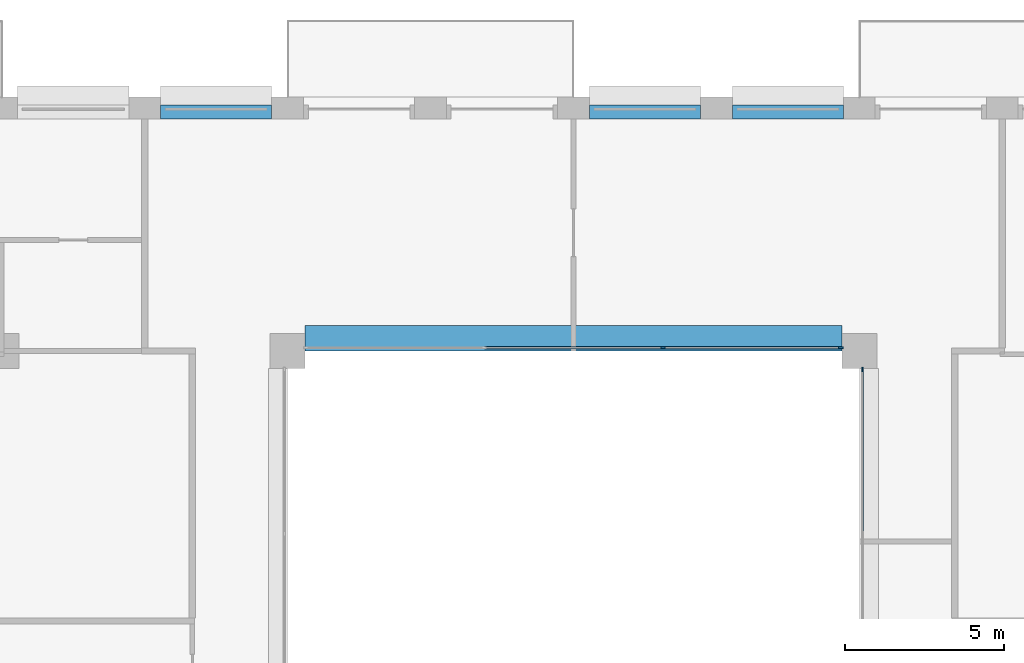
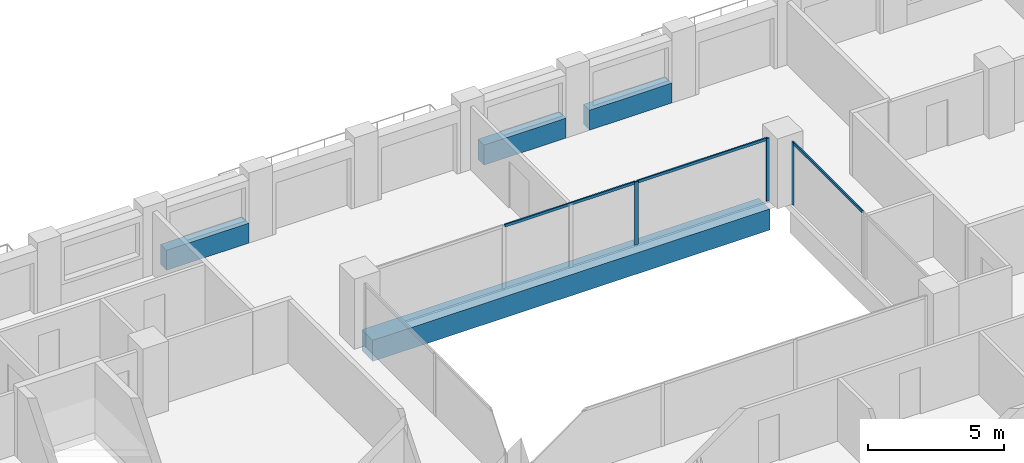
# One storey, part 6 of 16: 6 members, 4 beams, 2 elements without a shape of their own.
"""IFC4 building model written with IfcOpenShell, lengths in metres."""

from ifc_helpers import new_model, si_unit, direction, frame, origin, origin_2d, place, context, subcontext, project, spatial, rectangle, extrude, material, layer, layer_set, material_profile, profile_set, type_object, element, aggregate, save


model = new_model("IFC4")

# Units and contexts
model_context = context("Model", 3, precision=1e-05, world=origin(), true_north=direction((0.0, 1.0)))
body_context = subcontext(model_context, "Body", "Model", "MODEL_VIEW")
ifc_project = project(units=[si_unit("LENGTHUNIT", "METRE"), si_unit("AREAUNIT", "SQUARE_METRE"), si_unit("VOLUMEUNIT", "CUBIC_METRE"), si_unit("PLANEANGLEUNIT", "RADIAN"), si_unit("MASSUNIT", "GRAM", prefix="KILO")], contexts=[model_context])

# Site, building, storey
site_placement = place(None, origin())
site = spatial("IfcSite", under=ifc_project, at=site_placement, CompositionType="ELEMENT")
building_placement = place(site_placement, origin())
building = spatial("IfcBuilding", under=site, at=building_placement, Name="Brigalow Station Residences", CompositionType="ELEMENT")
storey_placement = place(building_placement, frame((0.0, 0.0, 160.199951171875)))
storey = spatial("IfcBuildingStorey", under=building, at=storey_placement, Name="L46", CompositionType="ELEMENT", Elevation=160.199951171875)

# Beam
ifc_material_1 = material(Name="Concrete C65", Category="concrete")
ifc_material_profile_1 = material_profile(ifc_material_1, rectangle(XDim=0.800048828125, YDim=0.949951171875, at=origin_2d()), Name="RC800x950")
ifc_profile_set_1 = profile_set([ifc_material_profile_1], Name="Concrete C65")
beam_type_1 = type_object("IfcBeamType", Name="ATRIUM EDGE GIRDER OVER 13.5 M SPAN 800x950 C65", PredefinedType="BEAM", material=ifc_profile_set_1)
beam_placement = place(storey_placement, frame((27.550048828125, 35.89990234375, -0.794921875), z_axis=(1.0, 0.0, 0.0), x_axis=(0.0, 1.0, 0.0)))
element("IfcBeam", 1, at=beam_placement, inside=storey, type_object=beam_type_1, Name="ATRIUM EDGE GIRDER D L46", PredefinedType="BEAM", context=body_context, shape_type="SweptSolid", body=[
    extrude(rectangle(XDim=0.800048828125, YDim=0.949951171875, at=origin_2d()), origin(), (0.0, 0.0, 1.0), 16.89990234375),
])

# Curtain wall, member
ifc_material_2 = material(Name="Aluminium", Category="aluminium")
ifc_layer = layer(ifc_material_2, 0.14990234375)
ifc_layer_set = layer_set([ifc_layer], Name="ATRIUM FIRE-RATED GLAZING CURTAIN WALL")
curtain_wall_type = type_object("IfcCurtainWallType", Name="ATRIUM FIRE-RATED GLAZING CURTAIN WALL", PredefinedType="NOTDEFINED", material=ifc_layer_set)
curtain_wall_1_placement = place(storey_placement, origin())
curtain_wall_1 = element("IfcCurtainWall", 2, at=curtain_wall_1_placement, inside=storey, type_object=curtain_wall_type, Name="L46/cw/atrium-E", PredefinedType="NOTDEFINED")
ifc_material_3 = material(Name="Aluminium", Category="aluminium")
ifc_material_profile_2 = material_profile(ifc_material_3, rectangle(XDim=0.06005859375, YDim=0.14990234375, at=origin_2d()), Name="ATRIUM FIRE-RATED GLAZING MULLION 60x150")
ifc_profile_set_2 = profile_set([ifc_material_profile_2], Name="Aluminium")
member_type_1 = type_object("IfcMemberType", Name="ATRIUM FIRE-RATED GLAZING MULLION 60x150", PredefinedType="MULLION", material=ifc_profile_set_2)
member_1_placement = place(storey_placement, frame((45.10009765625, 34.919921875, 0.0), z_axis=(0.0, 0.0, 1.0), x_axis=(-1.0, 0.0, 0.0)))
member_1 = element("IfcMember", 3, at=member_1_placement, type_object=member_type_1, Name="L46/cw/atrium-E/M02", PredefinedType="MULLION", context=body_context, shape_type="SweptSolid", body=[
    extrude(rectangle(XDim=0.06005859375, YDim=0.14990234375, at=origin_2d()), origin(), (0.0, 0.0, 1.0), 2.830078125),
])

# Curtain wall, members
curtain_wall_2_placement = place(storey_placement, origin())
curtain_wall_2 = element("IfcCurtainWall", 4, at=curtain_wall_2_placement, inside=storey, type_object=curtain_wall_type, Name="L46/cw/atrium-N", PredefinedType="NOTDEFINED")
member_2_placement = place(storey_placement, frame((44.419921875, 35.60009765625, 0.0), z_axis=(0.0, 0.0, 1.0), x_axis=(0.0, -1.0, 0.0)))
member_2 = element("IfcMember", 5, at=member_2_placement, type_object=member_type_1, Name="L46/cw/atrium-N/M00", PredefinedType="MULLION", context=body_context, shape_type="SweptSolid", body=[
    extrude(rectangle(XDim=0.06005859375, YDim=0.14990234375, at=origin_2d()), origin(), (0.0, 0.0, 1.0), 2.830078125),
])
member_3_placement = place(storey_placement, frame((38.816650390625, 35.60009765625, 0.0), z_axis=(0.0, 0.0, 1.0), x_axis=(0.0, -1.0, 0.0)))
member_3 = element("IfcMember", 6, at=member_3_placement, type_object=member_type_1, Name="L46/cw/atrium-N/M01", PredefinedType="MULLION", context=body_context, shape_type="SweptSolid", body=[
    extrude(rectangle(XDim=0.06005859375, YDim=0.14990234375, at=origin_2d()), origin(), (0.0, 0.0, 1.0), 2.830078125),
])

# Member
ifc_material_4 = material(Name="Aluminium", Category="aluminium")
ifc_material_profile_3 = material_profile(ifc_material_4, rectangle(XDim=0.06005859375, YDim=0.1201171875, at=origin_2d()), Name="ATRIUM FIRE-RATED GLAZING TRANSOM 60x120")
ifc_profile_set_3 = profile_set([ifc_material_profile_3], Name="Aluminium")
member_type_2 = type_object("IfcMemberType", Name="ATRIUM FIRE-RATED GLAZING TRANSOM 60x120", PredefinedType="USERDEFINED", material=ifc_profile_set_3)
member_4_placement = place(storey_placement, frame((45.10009765625, 29.780029296875, 2.800048828125), z_axis=(0.0, 1.0, 0.0), x_axis=(-1.0, 0.0, 0.0)))
member_4 = element("IfcMember", 7, at=member_4_placement, type_object=member_type_2, Name="L46/cw/atrium-E/T01-00", ObjectType="TRANSOM", PredefinedType="USERDEFINED", context=body_context, shape_type="SweptSolid", body=[
    extrude(rectangle(XDim=0.06005859375, YDim=0.1201171875, at=origin_2d()), origin(), (0.0, 0.0, 1.0), 5.10986328125),
])

aggregate(curtain_wall_1, [member_1, member_4])

member_5_placement = place(storey_placement, frame((44.389892578125, 35.60009765625, 2.800048828125), z_axis=(-1.0, 0.0, 0.0), x_axis=(0.0, -1.0, 0.0)))
member_5 = element("IfcMember", 8, at=member_5_placement, type_object=member_type_2, Name="L46/cw/atrium-N/T00-00", ObjectType="TRANSOM", PredefinedType="USERDEFINED", context=body_context, shape_type="SweptSolid", body=[
    extrude(rectangle(XDim=0.06005859375, YDim=0.1201171875, at=origin_2d()), origin(), (0.0, 0.0, 1.0), 5.543212890625),
])

member_6_placement = place(storey_placement, frame((38.78662109375, 35.60009765625, 2.800048828125), z_axis=(-1.0, 0.0, 0.0), x_axis=(0.0, -1.0, 0.0)))
member_6 = element("IfcMember", 9, at=member_6_placement, type_object=member_type_2, Name="L46/cw/atrium-N/T01-00", ObjectType="TRANSOM", PredefinedType="USERDEFINED", context=body_context, shape_type="SweptSolid", body=[
    extrude(rectangle(XDim=0.06005859375, YDim=0.1201171875, at=origin_2d()), origin(), (0.0, 0.0, 1.0), 5.5732421875),
])

aggregate(curtain_wall_2, [member_2, member_3, member_5, member_6])

# Beams
ifc_material_5 = material(Name="Concrete C50", Category="concrete")
ifc_material_profile_4 = material_profile(ifc_material_5, rectangle(XDim=0.449951171875, YDim=0.89990234375, at=origin_2d()), Name="RC450x900")
ifc_profile_set_4 = profile_set([ifc_material_profile_4], Name="Concrete C50")
beam_type_2 = type_object("IfcBeamType", Name="SPANDREL BEAM 450x900 C50", PredefinedType="SPANDREL", material=ifc_profile_set_4)
for number, where, z_axis, x_axis, name in (
    (10, (44.5, 43.02490234375, 0.449951171875), (-1.0, 0.0, 0.0), (0.0, -1.0, 0.0), "L46/spandrel/W-L46-27"),
    (11, (40.0, 43.02490234375, 0.449951171875), (-1.0, 0.0, 0.0), (0.0, -1.0, 0.0), "L46/spandrel/W-L46-28"),
    (12, (26.5, 43.02490234375, 0.449951171875), (-1.0, 0.0, 0.0), (0.0, -1.0, 0.0), "L46/spandrel/W-L46-31"),
):
    element("IfcBeam", number, at=place(storey_placement, frame(where, z_axis=z_axis, x_axis=x_axis)), inside=storey, type_object=beam_type_2, Name=name, PredefinedType="SPANDREL", context=body_context, shape_type="SweptSolid", body=[
        extrude(rectangle(XDim=0.449951171875, YDim=0.89990234375, at=origin_2d()), origin(), (0.0, 0.0, 1.0), 3.5),
    ])

save(model, "model.ifc")
